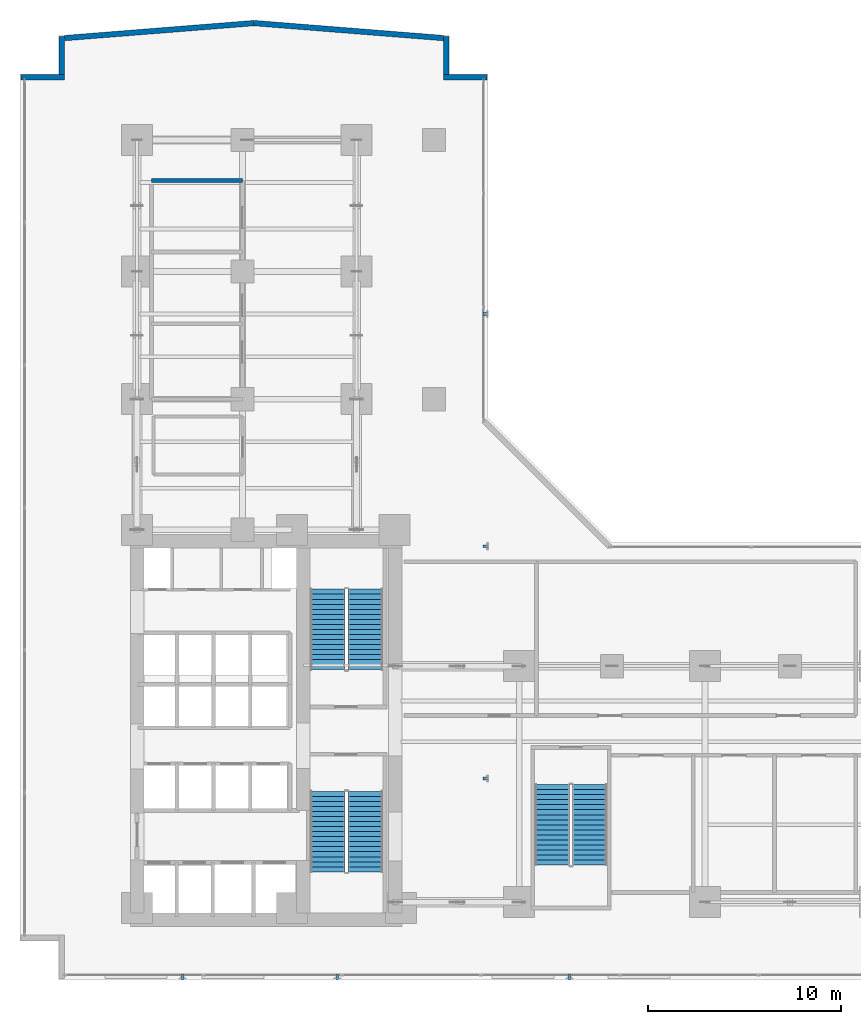
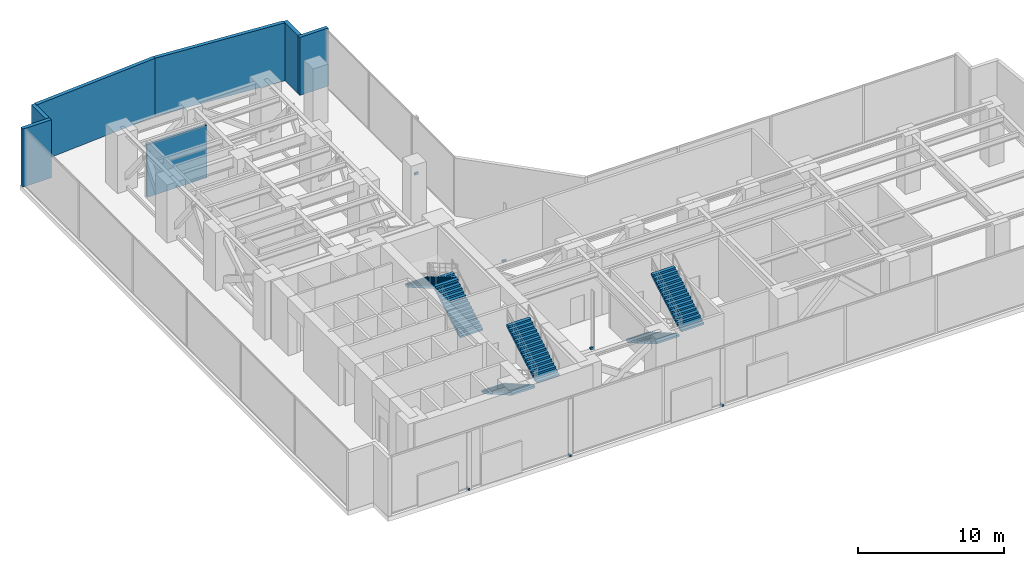
# One storey, part 34 of 36: 7 walls, 6 discrete accessories, 6 stair flights, 3 elements without a shape of their own.
"""IFC4 building model written with IfcOpenShell, lengths in metres."""

from ifc_helpers import new_model, si_unit, direction, frame, frame_2d, origin, origin_with_axes, origin_2d, place, context, subcontext, project, spatial, polyline, rectangle, outline, extrude, source, transform, mapped, material, layer, layer_set, type_object, element, aggregate, save


model = new_model("IFC4")

# Units and contexts
model_context = context("Model", 3, precision=1e-05, world=origin(), true_north=direction((0.0, 1.0)))
body_context = subcontext(model_context, "Body", "Model", "MODEL_VIEW")
ifc_project = project(units=[si_unit("LENGTHUNIT", "METRE"), si_unit("AREAUNIT", "SQUARE_METRE"), si_unit("VOLUMEUNIT", "CUBIC_METRE"), si_unit("PLANEANGLEUNIT", "RADIAN"), si_unit("MASSUNIT", "GRAM", prefix="KILO")], contexts=[model_context])

# Site, building, storey
site_placement = place(None, origin())
site = spatial("IfcSite", under=ifc_project, at=site_placement, CompositionType="ELEMENT")
building_placement = place(site_placement, origin())
building = spatial("IfcBuilding", under=site, at=building_placement, Name="Kolvaren Waterfront Exchange", CompositionType="ELEMENT")
storey_placement = place(building_placement, frame((0.0, 0.0, 82.800048828125)))
storey = spatial("IfcBuildingStorey", under=building, at=storey_placement, Name="L21", CompositionType="ELEMENT", Elevation=82.800048828125)

# Walls
ifc_material_1 = material(Name="Precast concrete C40/50", Category="concrete")
ifc_layer_1 = layer(ifc_material_1, 0.280029296875, Name="Precast concrete C40/50")
ifc_layer_set_1 = layer_set([ifc_layer_1], Name="Precast concrete C40/50")
wall_type_1 = type_object("IfcWallType", Name="ARC-EXT-TERR-280", PredefinedType="SOLIDWALL", material=ifc_layer_set_1)
wall_1_placement = place(storey_placement, frame((23.300048828125, 47.840087890625, 0.0), z_axis=(0.0, 0.0, 1.0), x_axis=(1.0, 0.0, 0.0)))
element("IfcWall", 1, at=wall_1_placement, inside=storey, type_object=wall_type_1, Name="L21 notched corner spandrel pier NNE-A", PredefinedType="SOLIDWALL", context=body_context, shape_type="SweptSolid", body=[
    extrude(rectangle(XDim=2.239990234375, YDim=0.280029296875, at=frame_2d((1.1201171875, 0.0))), origin(), (0.0, 0.0, 1.0), 4.83984375),
])
wall_2_placement = place(storey_placement, frame((23.43994140625, 47.97998046875, 0.0), z_axis=(0.0, 0.0, 1.0), x_axis=(0.0, 1.0, 0.0)))
element("IfcWall", 2, at=wall_2_placement, inside=storey, type_object=wall_type_1, Name="L21 notched corner spandrel pier NNE-B", PredefinedType="SOLIDWALL", context=body_context, shape_type="SweptSolid", body=[
    extrude(rectangle(XDim=1.9599609375, YDim=0.280029296875, at=frame_2d((0.97998046875, 0.0))), origin(), (0.0, 0.0, 1.0), 4.83984375),
])
wall_3_placement = place(storey_placement, frame((1.4599609375, 47.840087890625, 0.0), z_axis=(0.0, 0.0, 1.0), x_axis=(1.0, 0.0, 0.0)))
element("IfcWall", 3, at=wall_3_placement, inside=storey, type_object=wall_type_1, Name="L21 notched corner spandrel pier NW-A", PredefinedType="SOLIDWALL", context=body_context, shape_type="SweptSolid", body=[
    extrude(rectangle(XDim=2.239990234375, YDim=0.280029296875, at=frame_2d((1.1201171875, 0.0))), origin(), (0.0, 0.0, 1.0), 4.83984375),
])
wall_4_placement = place(storey_placement, frame((3.56005859375, 47.97998046875, 0.0), z_axis=(0.0, 0.0, 1.0), x_axis=(0.0, 1.0, 0.0)))
element("IfcWall", 4, at=wall_4_placement, inside=storey, type_object=wall_type_1, Name="L21 notched corner spandrel pier NW-B", PredefinedType="SOLIDWALL", context=body_context, shape_type="SweptSolid", body=[
    extrude(rectangle(XDim=1.9599609375, YDim=0.280029296875, at=frame_2d((0.97998046875, 0.0))), origin(), (0.0, 0.0, 1.0), 4.83984375),
])
for number, where, z_axis, x_axis, name in (
    (5, (23.288330078125, 49.8642578125, 0.0), (0.0, 0.0, 1.0), (-0.996878337682, 0.078953023125, 0.0), "L21 north prow faceted facade wall 1"),
    (6, (13.49267578125, 50.638916015625, 0.0), (0.0, 0.0, 1.0), (-0.996878337682, -0.078953023125, 0.0), "L21 north prow faceted facade wall 2"),
):
    element("IfcWall", number, at=place(storey_placement, frame(where, z_axis=z_axis, x_axis=x_axis)), inside=storey, type_object=wall_type_1, Name=name, PredefinedType="SOLIDWALL", context=body_context, shape_type="SweptSolid", body=[
        extrude(rectangle(XDim=9.8115234375, YDim=0.280029296875, at=frame_2d((4.90576171875, 0.0))), origin(), (0.0, 0.0, 1.0), 4.83984375),
    ])
ifc_layer_2 = layer(ifc_material_1, 0.199951171875, Name="Precast concrete C40/50")
ifc_layer_set_2 = layer_set([ifc_layer_2], Name="Precast concrete C40/50")
wall_type_2 = type_object("IfcWallType", Name="ARC-FIRE-200", PredefinedType="PARTITIONING", material=ifc_layer_set_2)
wall_5_placement = place(storey_placement, frame((8.199951171875, 42.5, 0.0), z_axis=(0.0, 0.0, 1.0), x_axis=(1.0, 0.0, 0.0)))
element("IfcWall", 7, at=wall_5_placement, inside=storey, type_object=wall_type_2, Name="L21 interior wall PW-L21-PL-N3", PredefinedType="PARTITIONING", context=body_context, shape_type="SweptSolid", body=[
    extrude(rectangle(XDim=4.699951171875, YDim=0.199951171875, at=frame_2d((2.35009765625, 0.0))), origin(), (0.0, 0.0, 1.0), 4.389892578125),
])

# Stair, stair flights
ifc_material_2 = material(Name="Concrete C40/50", Category="concrete")
stair_type = type_object("IfcStairType", Name="ARC-STAIR-5100", PredefinedType="HALF_TURN_STAIR", material=ifc_material_2)
stair_1_placement = place(storey_placement, origin())
stair_1 = element("IfcStair", 8, at=stair_1_placement, inside=storey, type_object=stair_type, Name="L21 Smoke-proof exit stair ST1", PredefinedType="HALF_TURN_STAIR")
stair_flight_type = type_object("IfcStairFlightType", Name="ARC-FLIGHT-5100", PredefinedType="STRAIGHT", material=ifc_material_2)
stair_flight_1_placement = place(storey_placement, frame((17.300048828125, 10.929931640625, 0.0), z_axis=(0.0, 0.0, 1.0), x_axis=(0.0, -1.0, 0.0)))
stair_flight_1 = element("IfcStairFlight", 9, at=stair_flight_1_placement, type_object=stair_flight_type, Name="ST1 flight 1", NumberOfRisers=17, NumberOfTreads=16, PredefinedType="STRAIGHT", RiserHeight=0.15, TreadLength=0.26, context=body_context, shape_type="SweptSolid", body=[
    extrude(outline(polyline([(0.0, 0.0), (0.0, 0.14990234375), (0.260009765625, 0.14990234375), (0.260009765625, 0.300048828125), (0.52001953125, 0.300048828125), (0.52001953125, 0.449951171875), (0.780029296875, 0.449951171875), (0.780029296875, 0.60009765625), (1.0400390625, 0.60009765625), (1.0400390625, 0.75), (1.300048828125, 0.75), (1.300048828125, 0.89990234375), (1.56005859375, 0.89990234375), (1.56005859375, 1.050048828125), (1.820068359375, 1.050048828125), (1.820068359375, 1.199951171875), (2.080078125, 1.199951171875), (2.080078125, 1.35009765625), (2.340087890625, 1.35009765625), (2.340087890625, 1.5), (2.60009765625, 1.5), (2.60009765625, 1.64990234375), (2.860107421875, 1.64990234375), (2.860107421875, 1.800048828125), (3.1201171875, 1.800048828125), (3.1201171875, 1.949951171875), (3.3798828125, 1.949951171875), (3.3798828125, 2.10009765625), (3.639892578125, 2.10009765625), (3.639892578125, 2.25), (3.89990234375, 2.25), (3.89990234375, 2.39990234375), (4.159912109375, 2.39990234375), (4.159912109375, 2.550048828125), (4.159912109375, 2.22705078125), (0.300048828125, 0.0), (0.0, 0.0)])), frame((0.0, 0.89990234375, 0.0), z_axis=(0.0, -1.0, 0.0), x_axis=(1.0, 0.0, 0.0)), (0.0, 0.0, 1.0), 1.800048828125),
])
stair_flight_2_placement = place(storey_placement, frame((19.260009765625, 6.77001953125, 2.550048828125), z_axis=(0.0, 0.0, 1.0), x_axis=(0.0, 1.0, 0.0)))
stair_flight_2 = element("IfcStairFlight", 10, at=stair_flight_2_placement, type_object=stair_flight_type, Name="ST1 flight 2", NumberOfRisers=17, NumberOfTreads=16, PredefinedType="STRAIGHT", RiserHeight=0.15, TreadLength=0.26, context=body_context, shape_type="SweptSolid", body=[
    extrude(outline(polyline([(0.0, 0.0), (0.0, 0.14990234375), (0.260009765625, 0.14990234375), (0.260009765625, 0.300048828125), (0.52001953125, 0.300048828125), (0.52001953125, 0.449951171875), (0.780029296875, 0.449951171875), (0.780029296875, 0.60009765625), (1.0400390625, 0.60009765625), (1.0400390625, 0.75), (1.300048828125, 0.75), (1.300048828125, 0.89990234375), (1.56005859375, 0.89990234375), (1.56005859375, 1.050048828125), (1.820068359375, 1.050048828125), (1.820068359375, 1.199951171875), (2.080078125, 1.199951171875), (2.080078125, 1.35009765625), (2.340087890625, 1.35009765625), (2.340087890625, 1.5), (2.60009765625, 1.5), (2.60009765625, 1.64990234375), (2.860107421875, 1.64990234375), (2.860107421875, 1.800048828125), (3.1201171875, 1.800048828125), (3.1201171875, 1.949951171875), (3.3798828125, 1.949951171875), (3.3798828125, 2.10009765625), (3.639892578125, 2.10009765625), (3.639892578125, 2.25), (3.89990234375, 2.25), (3.89990234375, 2.39990234375), (4.159912109375, 2.39990234375), (4.159912109375, 2.550048828125), (4.159912109375, 2.22705078125), (0.300048828125, 0.0), (0.0, 0.0)])), frame((0.0, 0.89990234375, 0.0), z_axis=(0.0, -1.0, 0.0), x_axis=(1.0, 0.0, 0.0)), (0.0, 0.0, 1.0), 1.800048828125),
])
aggregate(stair_1, [stair_flight_1, stair_flight_2])

stair_2_placement = place(storey_placement, origin())
stair_2 = element("IfcStair", 11, at=stair_2_placement, inside=storey, type_object=stair_type, Name="L21 Smoke-proof exit stair ST2", PredefinedType="HALF_TURN_STAIR")
stair_flight_3_placement = place(storey_placement, frame((19.260009765625, 17.219970703125, 0.0), z_axis=(0.0, 0.0, 1.0), x_axis=(0.0, 1.0, 0.0)))
stair_flight_3 = element("IfcStairFlight", 12, at=stair_flight_3_placement, type_object=stair_flight_type, Name="ST2 flight 1", NumberOfRisers=17, NumberOfTreads=16, PredefinedType="STRAIGHT", RiserHeight=0.15, TreadLength=0.26, context=body_context, shape_type="SweptSolid", body=[
    extrude(outline(polyline([(0.0, 0.0), (0.0, 0.14990234375), (0.260009765625, 0.14990234375), (0.260009765625, 0.300048828125), (0.52001953125, 0.300048828125), (0.52001953125, 0.449951171875), (0.780029296875, 0.449951171875), (0.780029296875, 0.60009765625), (1.0400390625, 0.60009765625), (1.0400390625, 0.75), (1.300048828125, 0.75), (1.300048828125, 0.89990234375), (1.56005859375, 0.89990234375), (1.56005859375, 1.050048828125), (1.820068359375, 1.050048828125), (1.820068359375, 1.199951171875), (2.080078125, 1.199951171875), (2.080078125, 1.35009765625), (2.340087890625, 1.35009765625), (2.340087890625, 1.5), (2.60009765625, 1.5), (2.60009765625, 1.64990234375), (2.860107421875, 1.64990234375), (2.860107421875, 1.800048828125), (3.1201171875, 1.800048828125), (3.1201171875, 1.949951171875), (3.3798828125, 1.949951171875), (3.3798828125, 2.10009765625), (3.639892578125, 2.10009765625), (3.639892578125, 2.25), (3.89990234375, 2.25), (3.89990234375, 2.39990234375), (4.159912109375, 2.39990234375), (4.159912109375, 2.550048828125), (4.159912109375, 2.22705078125), (0.300048828125, 0.0), (0.0, 0.0)])), frame((0.0, 0.89990234375, 0.0), z_axis=(0.0, -1.0, 0.0), x_axis=(1.0, 0.0, 0.0)), (0.0, 0.0, 1.0), 1.800048828125),
])
stair_flight_4_placement = place(storey_placement, frame((17.300048828125, 21.3798828125, 2.550048828125), z_axis=(0.0, 0.0, 1.0), x_axis=(0.0, -1.0, 0.0)))
stair_flight_4 = element("IfcStairFlight", 13, at=stair_flight_4_placement, type_object=stair_flight_type, Name="ST2 flight 2", NumberOfRisers=17, NumberOfTreads=16, PredefinedType="STRAIGHT", RiserHeight=0.15, TreadLength=0.26, context=body_context, shape_type="SweptSolid", body=[
    extrude(outline(polyline([(0.0, 0.0), (0.0, 0.14990234375), (0.260009765625, 0.14990234375), (0.260009765625, 0.300048828125), (0.52001953125, 0.300048828125), (0.52001953125, 0.449951171875), (0.780029296875, 0.449951171875), (0.780029296875, 0.60009765625), (1.0400390625, 0.60009765625), (1.0400390625, 0.75), (1.300048828125, 0.75), (1.300048828125, 0.89990234375), (1.56005859375, 0.89990234375), (1.56005859375, 1.050048828125), (1.820068359375, 1.050048828125), (1.820068359375, 1.199951171875), (2.080078125, 1.199951171875), (2.080078125, 1.35009765625), (2.340087890625, 1.35009765625), (2.340087890625, 1.5), (2.60009765625, 1.5), (2.60009765625, 1.64990234375), (2.860107421875, 1.64990234375), (2.860107421875, 1.800048828125), (3.1201171875, 1.800048828125), (3.1201171875, 1.949951171875), (3.3798828125, 1.949951171875), (3.3798828125, 2.10009765625), (3.639892578125, 2.10009765625), (3.639892578125, 2.25), (3.89990234375, 2.25), (3.89990234375, 2.39990234375), (4.159912109375, 2.39990234375), (4.159912109375, 2.550048828125), (4.159912109375, 2.22705078125), (0.300048828125, 0.0), (0.0, 0.0)])), frame((0.0, 0.89990234375, 0.0), z_axis=(0.0, -1.0, 0.0), x_axis=(1.0, 0.0, 0.0)), (0.0, 0.0, 1.0), 1.800048828125),
])
aggregate(stair_2, [stair_flight_3, stair_flight_4])

stair_3_placement = place(storey_placement, origin())
stair_3 = element("IfcStair", 14, at=stair_3_placement, inside=storey, type_object=stair_type, Name="L21 Exit stair ST3", PredefinedType="HALF_TURN_STAIR")
stair_flight_5_placement = place(storey_placement, frame((28.89990234375, 11.280029296875, 0.0), z_axis=(0.0, 0.0, 1.0), x_axis=(0.0, -1.0, 0.0)))
stair_flight_5 = element("IfcStairFlight", 15, at=stair_flight_5_placement, type_object=stair_flight_type, Name="ST3 flight 1", NumberOfRisers=17, NumberOfTreads=16, PredefinedType="STRAIGHT", RiserHeight=0.15, TreadLength=0.26, context=body_context, shape_type="SweptSolid", body=[
    extrude(outline(polyline([(0.0, 0.0), (0.0, 0.14990234375), (0.260009765625, 0.14990234375), (0.260009765625, 0.300048828125), (0.52001953125, 0.300048828125), (0.52001953125, 0.449951171875), (0.780029296875, 0.449951171875), (0.780029296875, 0.60009765625), (1.0400390625, 0.60009765625), (1.0400390625, 0.75), (1.300048828125, 0.75), (1.300048828125, 0.89990234375), (1.56005859375, 0.89990234375), (1.56005859375, 1.050048828125), (1.820068359375, 1.050048828125), (1.820068359375, 1.199951171875), (2.080078125, 1.199951171875), (2.080078125, 1.35009765625), (2.340087890625, 1.35009765625), (2.340087890625, 1.5), (2.60009765625, 1.5), (2.60009765625, 1.64990234375), (2.860107421875, 1.64990234375), (2.860107421875, 1.800048828125), (3.1201171875, 1.800048828125), (3.1201171875, 1.949951171875), (3.3798828125, 1.949951171875), (3.3798828125, 2.10009765625), (3.639892578125, 2.10009765625), (3.639892578125, 2.25), (3.89990234375, 2.25), (3.89990234375, 2.39990234375), (4.159912109375, 2.39990234375), (4.159912109375, 2.550048828125), (4.159912109375, 2.22705078125), (0.300048828125, 0.0), (0.0, 0.0)])), frame((0.0, 0.89990234375, 0.0), z_axis=(0.0, -1.0, 0.0), x_axis=(1.0, 0.0, 0.0)), (0.0, 0.0, 1.0), 1.800048828125),
])
stair_flight_6_placement = place(storey_placement, frame((30.860107421875, 7.1201171875, 2.550048828125), z_axis=(0.0, 0.0, 1.0), x_axis=(0.0, 1.0, 0.0)))
stair_flight_6 = element("IfcStairFlight", 16, at=stair_flight_6_placement, type_object=stair_flight_type, Name="ST3 flight 2", NumberOfRisers=17, NumberOfTreads=16, PredefinedType="STRAIGHT", RiserHeight=0.15, TreadLength=0.26, context=body_context, shape_type="SweptSolid", body=[
    extrude(outline(polyline([(0.0, 0.0), (0.0, 0.14990234375), (0.260009765625, 0.14990234375), (0.260009765625, 0.300048828125), (0.52001953125, 0.300048828125), (0.52001953125, 0.449951171875), (0.780029296875, 0.449951171875), (0.780029296875, 0.60009765625), (1.0400390625, 0.60009765625), (1.0400390625, 0.75), (1.300048828125, 0.75), (1.300048828125, 0.89990234375), (1.56005859375, 0.89990234375), (1.56005859375, 1.050048828125), (1.820068359375, 1.050048828125), (1.820068359375, 1.199951171875), (2.080078125, 1.199951171875), (2.080078125, 1.35009765625), (2.340087890625, 1.35009765625), (2.340087890625, 1.5), (2.60009765625, 1.5), (2.60009765625, 1.64990234375), (2.860107421875, 1.64990234375), (2.860107421875, 1.800048828125), (3.1201171875, 1.800048828125), (3.1201171875, 1.949951171875), (3.3798828125, 1.949951171875), (3.3798828125, 2.10009765625), (3.639892578125, 2.10009765625), (3.639892578125, 2.25), (3.89990234375, 2.25), (3.89990234375, 2.39990234375), (4.159912109375, 2.39990234375), (4.159912109375, 2.550048828125), (4.159912109375, 2.22705078125), (0.300048828125, 0.0), (0.0, 0.0)])), frame((0.0, 0.89990234375, 0.0), z_axis=(0.0, -1.0, 0.0), x_axis=(1.0, 0.0, 0.0)), (0.0, 0.0, 1.0), 1.800048828125),
])
aggregate(stair_3, [stair_flight_5, stair_flight_6])

# Discrete accessories
ifc_material_3 = material(Name="Stainless steel 316", Category="steel")
discrete_accessory_type = type_object("IfcDiscreteAccessoryType", Name="ARC-BRK-FIN", PredefinedType="BRACKET", material=ifc_material_3)
shared_shape = source(origin_with_axes(), body_context, "Body", "SweptSolid", [
    extrude(rectangle(XDim=0.280029296875, YDim=0.139892578125, at=origin_2d()), origin(), (0.0, 0.0, 1.0), 0.159912109375),
])
for number, where, z_axis, x_axis, name in (
    (17, (9.800048828125, 1.320068359375, 0.0), (0.0, 0.0, 1.0), (0.0, -1.0, 0.0), "L21 bronze fin anchor bracket FIN-L21-S1"),
    (18, (17.800048828125, 1.320068359375, 0.0), (0.0, 0.0, 1.0), (0.0, -1.0, 0.0), "L21 bronze fin anchor bracket FIN-L21-S2"),
    (19, (29.800048828125, 1.320068359375, 0.0), (0.0, 0.0, 1.0), (0.0, -1.0, 0.0), "L21 bronze fin anchor bracket FIN-L21-S3"),
    (20, (25.47998046875, 11.60009765625, 0.0), (0.0, 0.0, 1.0), (1.0, 0.0, 0.0), "L21 bronze fin anchor bracket FIN-L21-E1"),
    (21, (25.47998046875, 23.60009765625, 0.0), (0.0, 0.0, 1.0), (1.0, 0.0, 0.0), "L21 bronze fin anchor bracket FIN-L21-E2"),
    (22, (25.47998046875, 35.60009765625, 0.0), (0.0, 0.0, 1.0), (1.0, 0.0, 0.0), "L21 bronze fin anchor bracket FIN-L21-E3"),
):
    element("IfcDiscreteAccessory", number, at=place(storey_placement, frame(where, z_axis=z_axis, x_axis=x_axis)), inside=storey, type_object=discrete_accessory_type, Name=name, PredefinedType="BRACKET", context=body_context, shape_type="MappedRepresentation", body=[
        mapped(shared_shape, transform((0.0, 0.0, 0.0), x_axis=(1.0, 0.0, 0.0), y_axis=(0.0, 1.0, 0.0), z_axis=(0.0, 0.0, 1.0), scale=1.0)),
    ])

save(model, "model.ifc")
